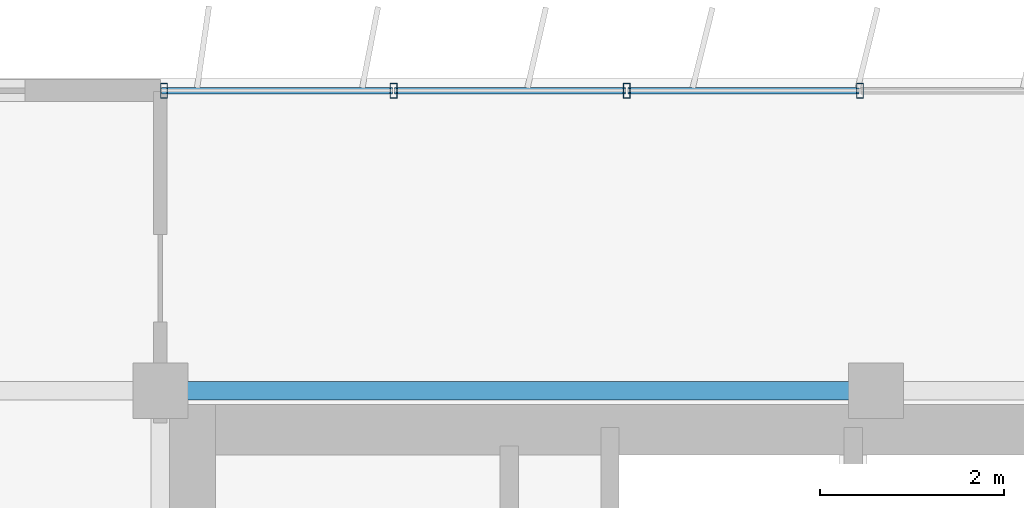
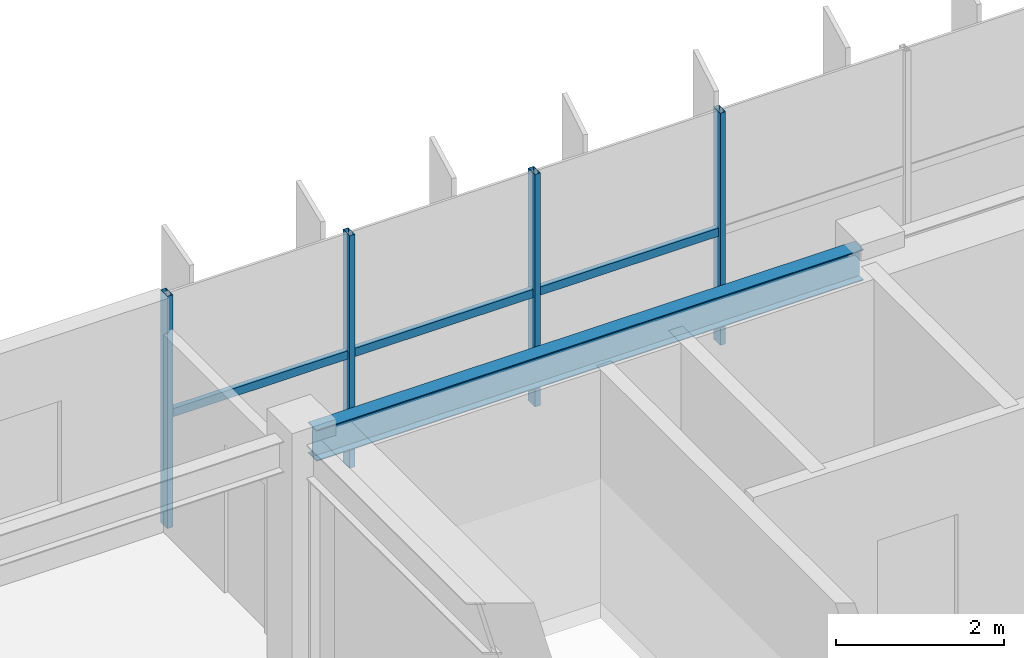
# One storey, part 6 of 21: 7 members, 1 beam, 1 element without a shape of its own.
"""IFC4 building model written with IfcOpenShell, lengths in metres."""

from ifc_helpers import new_model, si_unit, direction, frame, origin, origin_2d, place, context, subcontext, project, spatial, hollow_rectangle, i_section, extrude, source, transform, mapped, material, material_profile, profile_set, type_object, element, aggregate, save


model = new_model("IFC4")

# Units and contexts
model_context = context("Model", 3, precision=1e-05, world=origin(), true_north=direction((0.0, 1.0)))
body_context = subcontext(model_context, "Body", "Model", "MODEL_VIEW")
ifc_project = project(units=[si_unit("LENGTHUNIT", "METRE"), si_unit("AREAUNIT", "SQUARE_METRE"), si_unit("VOLUMEUNIT", "CUBIC_METRE"), si_unit("PLANEANGLEUNIT", "RADIAN"), si_unit("MASSUNIT", "GRAM", prefix="KILO")], contexts=[model_context])

# Site, building, storey
site_placement = place(None, origin())
site = spatial("IfcSite", under=ifc_project, at=site_placement, CompositionType="ELEMENT")
building_placement = place(site_placement, origin())
building = spatial("IfcBuilding", under=site, at=building_placement, Name="Trelvane Seafront Commons", CompositionType="ELEMENT")
storey_placement = place(building_placement, frame((0.0, 0.0, 252.300048828125)))
storey = spatial("IfcBuildingStorey", under=building, at=storey_placement, Name="L65", CompositionType="ELEMENT", Elevation=252.300048828125)

# Beam
ifc_material_1 = material(Name="Steel SM355 (S355)", Category="steel")
ifc_material_profile_1 = material_profile(ifc_material_1, i_section(OverallWidth=0.199951171875, OverallDepth=0.449951171875, WebThickness=0.009033203125, FlangeThickness=0.013916015625, at=origin_2d()), Name="H-450x200x9x14")
ifc_profile_set_1 = profile_set([ifc_material_profile_1], Name="Steel SM355 (S355)")
beam_type = type_object("IfcBeamType", Name="STR-SPD-H450", PredefinedType="SPANDREL", material=ifc_profile_set_1)
shared_shape_1 = source(origin(), body_context, "Body", "SweptSolid", [
    extrude(i_section(OverallWidth=0.199951171875, OverallDepth=0.449951171875, WebThickness=0.009033203125, FlangeThickness=0.013916015625, at=origin_2d()), origin(), (0.0, 0.0, 1.0), 7.5),
])
beam_placement = place(storey_placement, frame((15.75, 45.10009765625, 3.14501953125), z_axis=(1.0, 0.0, 0.0), x_axis=(0.0, 1.0, 0.0)))
element("IfcBeam", 1, at=beam_placement, inside=storey, type_object=beam_type, Name="L65 Primary Girder G-23", PredefinedType="SPANDREL", context=body_context, shape_type="MappedRepresentation", body=[
    mapped(shared_shape_1, transform((0.0, 0.0, 0.0), x_axis=(1.0, 0.0, 0.0), y_axis=(0.0, 1.0, 0.0), z_axis=(0.0, 0.0, 1.0), scale=1.0)),
])

# Curtain wall, members
ifc_material_2 = material(Name="Anodised pale-silver aluminium", Category="aluminium")
curtain_wall_type = type_object("IfcCurtainWallType", Name="ARCH-CW5-UPTOWER", PredefinedType="NOTDEFINED", material=ifc_material_2)
curtain_wall_placement = place(storey_placement, origin())
curtain_wall = element("IfcCurtainWall", 2, at=curtain_wall_placement, inside=storey, type_object=curtain_wall_type, Name="CW-L65-0109", PredefinedType="NOTDEFINED")
ifc_material_profile_2 = material_profile(ifc_material_2, hollow_rectangle(XDim=0.070068359375, YDim=0.1201171875, WallThickness=0.00390625, at=origin_2d()), Name="TRAN-70x120x4")
ifc_profile_set_2 = profile_set([ifc_material_profile_2], Name="Anodised pale-silver aluminium")
member_type_1 = type_object("IfcMemberType", Name="ARCH-CW-TRAN-120", PredefinedType="USERDEFINED", material=ifc_profile_set_2)
shared_shape_2 = source(origin(), body_context, "Body", "SweptSolid", [
    extrude(hollow_rectangle(XDim=0.070068359375, YDim=0.1201171875, WallThickness=0.00390625, at=origin_2d()), origin(), (0.0, 0.0, 1.0), 2.51708984375),
])
member_1_placement = place(storey_placement, frame((15.612060546875, 48.3701171875, 1.617919921875), z_axis=(1.0, 0.0, 0.0), x_axis=(0.0, 1.0, 0.0)))
member_1 = element("IfcMember", 3, at=member_1_placement, type_object=member_type_1, Name="CW-L65-0109-T00", ObjectType="TRANSOM", PredefinedType="USERDEFINED", context=body_context, shape_type="MappedRepresentation", body=[
    mapped(shared_shape_2, transform((0.0, 0.0, 0.0), x_axis=(1.0, 0.0, 0.0), y_axis=(0.0, 1.0, 0.0), z_axis=(0.0, 0.0, 1.0), scale=1.0)),
])
member_2_placement = place(storey_placement, frame((18.1533203125, 48.3701171875, 1.617919921875), z_axis=(1.0, 0.0, 0.0), x_axis=(0.0, 1.0, 0.0)))
member_2 = element("IfcMember", 4, at=member_2_placement, type_object=member_type_1, Name="CW-L65-0109-T01", ObjectType="TRANSOM", PredefinedType="USERDEFINED", context=body_context, shape_type="MappedRepresentation", body=[
    mapped(shared_shape_2, transform((0.0, 0.0, 0.0), x_axis=(1.0, 0.0, 0.0), y_axis=(0.0, 1.0, 0.0), z_axis=(0.0, 0.0, 1.0), scale=1.0)),
])
member_3_placement = place(storey_placement, frame((20.6943359375, 48.3701171875, 1.617919921875), z_axis=(1.0, 0.0, 0.0), x_axis=(0.0, 1.0, 0.0)))
member_3 = element("IfcMember", 5, at=member_3_placement, type_object=member_type_1, Name="CW-L65-0109-T02", ObjectType="TRANSOM", PredefinedType="USERDEFINED", context=body_context, shape_type="MappedRepresentation", body=[
    mapped(shared_shape_2, transform((0.0, 0.0, 0.0), x_axis=(1.0, 0.0, 0.0), y_axis=(0.0, 1.0, 0.0), z_axis=(0.0, 0.0, 1.0), scale=1.0)),
])
ifc_material_profile_3 = material_profile(ifc_material_2, hollow_rectangle(XDim=0.074951171875, YDim=0.159912109375, WallThickness=0.00390625, at=origin_2d()), Name="MULL-75x160x4")
ifc_profile_set_3 = profile_set([ifc_material_profile_3], Name="Anodised pale-silver aluminium")
member_type_2 = type_object("IfcMemberType", Name="ARCH-CW-MULL-160", PredefinedType="MULLION", material=ifc_profile_set_3)
shared_shape_3 = source(origin(), body_context, "Body", "SweptSolid", [
    extrude(hollow_rectangle(XDim=0.074951171875, YDim=0.159912109375, WallThickness=0.00390625, at=origin_2d()), origin(), (0.0, 0.0, 1.0), 3.369873046875),
])
member_4_placement = place(storey_placement, frame((15.639892578125, 48.3701171875, 0.0), z_axis=(0.0, 0.0, 1.0), x_axis=(1.0, 0.0, 0.0)))
member_4 = element("IfcMember", 6, at=member_4_placement, type_object=member_type_2, Name="CW-L65-0109-M00", PredefinedType="MULLION", context=body_context, shape_type="MappedRepresentation", body=[
    mapped(shared_shape_3, transform((0.0, 0.0, 0.0), x_axis=(1.0, 0.0, 0.0), y_axis=(0.0, 1.0, 0.0), z_axis=(0.0, 0.0, 1.0), scale=1.0)),
])
member_5_placement = place(storey_placement, frame((18.14111328125, 48.3701171875, 0.0), z_axis=(0.0, 0.0, 1.0), x_axis=(1.0, 0.0, 0.0)))
member_5 = element("IfcMember", 7, at=member_5_placement, type_object=member_type_2, Name="CW-L65-0109-M01", PredefinedType="MULLION", context=body_context, shape_type="MappedRepresentation", body=[
    mapped(shared_shape_3, transform((0.0, 0.0, 0.0), x_axis=(1.0, 0.0, 0.0), y_axis=(0.0, 1.0, 0.0), z_axis=(0.0, 0.0, 1.0), scale=1.0)),
])
member_6_placement = place(storey_placement, frame((20.682373046875, 48.3701171875, 0.0), z_axis=(0.0, 0.0, 1.0), x_axis=(1.0, 0.0, 0.0)))
member_6 = element("IfcMember", 8, at=member_6_placement, type_object=member_type_2, Name="CW-L65-0109-M02", PredefinedType="MULLION", context=body_context, shape_type="MappedRepresentation", body=[
    mapped(shared_shape_3, transform((0.0, 0.0, 0.0), x_axis=(1.0, 0.0, 0.0), y_axis=(0.0, 1.0, 0.0), z_axis=(0.0, 0.0, 1.0), scale=1.0)),
])
member_7_placement = place(storey_placement, frame((23.223388671875, 48.3701171875, 0.0), z_axis=(0.0, 0.0, 1.0), x_axis=(1.0, 0.0, 0.0)))
member_7 = element("IfcMember", 9, at=member_7_placement, type_object=member_type_2, Name="CW-L65-0109-M03", PredefinedType="MULLION", context=body_context, shape_type="MappedRepresentation", body=[
    mapped(shared_shape_3, transform((0.0, 0.0, 0.0), x_axis=(1.0, 0.0, 0.0), y_axis=(0.0, 1.0, 0.0), z_axis=(0.0, 0.0, 1.0), scale=1.0)),
])
aggregate(curtain_wall, [member_4, member_5, member_6, member_7, member_1, member_2, member_3])

save(model, "model.ifc")
